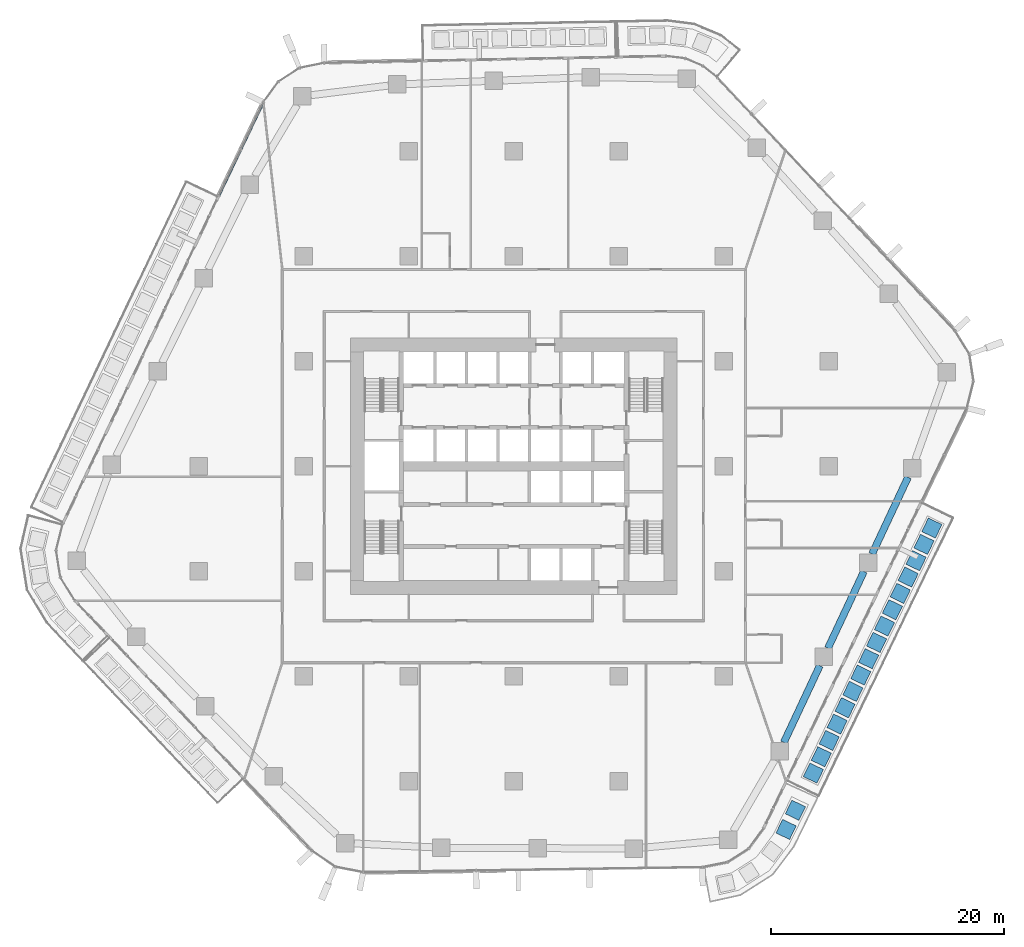
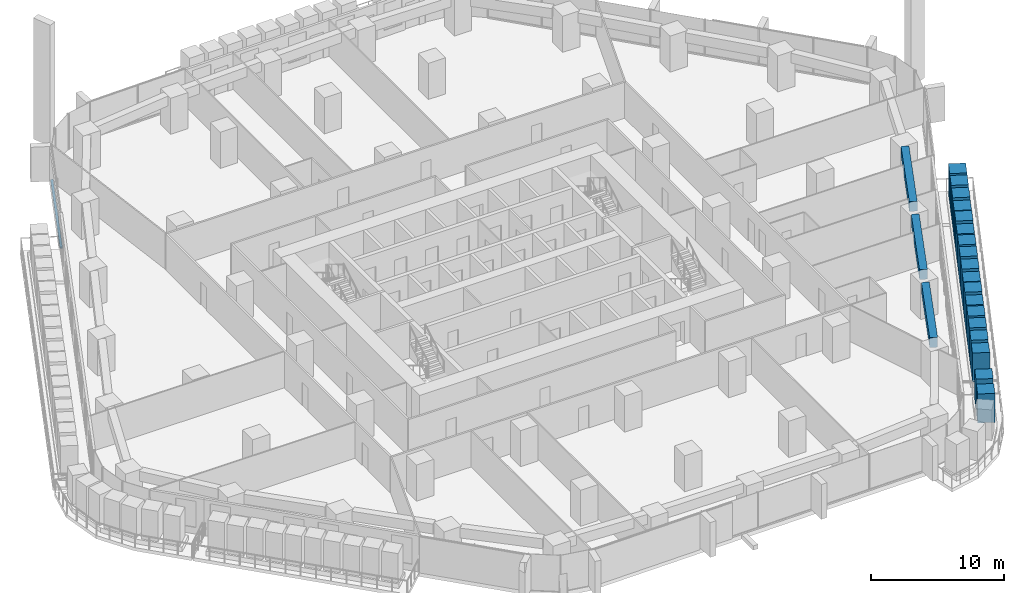
# One storey, part 6 of 24: 19 members, 3 beams, 1 element without a shape of its own.
"""IFC4 building model written with IfcOpenShell, lengths in metres."""

from ifc_helpers import new_model, si_unit, direction, frame, origin, origin_2d, place, context, subcontext, project, spatial, rectangle, extrude, material, layer, layer_set, material_profile, profile_set, type_object, element, aggregate, save


model = new_model("IFC4")

# Units and contexts
model_context = context("Model", 3, precision=1e-05, world=origin(), true_north=direction((0.0, 1.0)))
body_context = subcontext(model_context, "Body", "Model", "MODEL_VIEW")
ifc_project = project(units=[si_unit("LENGTHUNIT", "METRE"), si_unit("AREAUNIT", "SQUARE_METRE"), si_unit("VOLUMEUNIT", "CUBIC_METRE"), si_unit("PLANEANGLEUNIT", "RADIAN"), si_unit("MASSUNIT", "GRAM", prefix="KILO")], contexts=[model_context])

# Site, building, storey
site_placement = place(None, origin())
site = spatial("IfcSite", under=ifc_project, at=site_placement, CompositionType="ELEMENT")
building_placement = place(site_placement, origin())
building = spatial("IfcBuilding", under=site, at=building_placement, Name="Dongbaek Canopy Tower", CompositionType="ELEMENT")
storey_placement = place(building_placement, frame((0.0, 0.0, 44.0)))
storey = spatial("IfcBuildingStorey", under=building, at=storey_placement, Name="L06", CompositionType="ELEMENT", Elevation=44.0)

# Curtain wall, member
ifc_material_1 = material(Name="Aluminium 6063-T6 pale anodised", Category="aluminium")
ifc_layer = layer(ifc_material_1, 0.199951171875)
ifc_layer_set = layer_set([ifc_layer], Name="CW-1 unitised tower curtain wall")
curtain_wall_type = type_object("IfcCurtainWallType", Name="CW-1 unitised tower curtain wall", PredefinedType="NOTDEFINED", material=ifc_layer_set)
curtain_wall_placement = place(storey_placement, origin())
curtain_wall = element("IfcCurtainWall", 1, at=curtain_wall_placement, inside=storey, type_object=curtain_wall_type, Name="CW-1 curtain wall F2.1", PredefinedType="NOTDEFINED")
ifc_material_2 = material(Name="Aluminium 6063-T6 pale anodised", Category="aluminium")
ifc_material_profile_1 = material_profile(ifc_material_2, rectangle(XDim=0.199951171875, YDim=0.1201171875, at=origin_2d()), Name="CW-1 transom 120 x 200")
ifc_profile_set_1 = profile_set([ifc_material_profile_1], Name="Aluminium 6063-T6 pale anodised")
member_type_1 = type_object("IfcMemberType", Name="CW-1 transom 120 x 200", PredefinedType="USERDEFINED", material=ifc_profile_set_1)
member_1_placement = place(storey_placement, frame((-21.47607421875, 31.190673828125, 0.06005859375), z_axis=(-0.429774651528, -0.902936182077, 0.0), x_axis=(0.902936182077, -0.429774651528, 0.0)))
member_1 = element("IfcMember", 2, at=member_1_placement, type_object=member_type_1, Name="CW-1 transom F2.1.1", ObjectType="TRANSOM", PredefinedType="USERDEFINED", context=body_context, shape_type="SweptSolid", body=[
    extrude(rectangle(XDim=0.199951171875, YDim=0.1201171875, at=origin_2d()), origin(), (0.0, 0.0, 1.0), 8.885009765625),
])
aggregate(curtain_wall, [member_1])

# Beams
ifc_material_3 = material(Name="Concrete C80", Category="concrete")
ifc_material_profile_2 = material_profile(ifc_material_3, rectangle(XDim=0.60009765625, YDim=0.89990234375, at=origin_2d()), Name="RC EDGE BEAM 600x900 C80")
ifc_profile_set_2 = profile_set([ifc_material_profile_2], Name="Concrete C80")
beam_type = type_object("IfcBeamType", Name="RC EDGE BEAM 600x900 C80", PredefinedType="BEAM", material=ifc_profile_set_2)
beam_1_placement = place(storey_placement, frame((33.791748046875, -0.955078125, 2.85009765625), z_axis=(-0.424064450026, -0.905632012588, 0.0), x_axis=(0.905632012588, -0.424064450026, 0.0)))
element("IfcBeam", 3, at=beam_1_placement, inside=storey, type_object=beam_type, Name="EDGEBEAM:L06:22", PredefinedType="BEAM", context=body_context, shape_type="SweptSolid", body=[
    extrude(rectangle(XDim=0.60009765625, YDim=0.89990234375, at=origin_2d()), origin(), (0.0, 0.0, 1.0), 7.264404296875),
])
beam_2_placement = place(storey_placement, frame((30.0087890625, -9.033935546875, 2.85009765625), z_axis=(-0.424110161641, -0.905610606604, 0.0), x_axis=(0.905610606604, -0.424110161641, 0.0)))
element("IfcBeam", 4, at=beam_2_placement, inside=storey, type_object=beam_type, Name="EDGEBEAM:L06:23", PredefinedType="BEAM", context=body_context, shape_type="SweptSolid", body=[
    extrude(rectangle(XDim=0.60009765625, YDim=0.89990234375, at=origin_2d()), origin(), (0.0, 0.0, 1.0), 7.265869140625),
])
beam_3_placement = place(storey_placement, frame((26.224609375, -17.114013671875, 2.85009765625), z_axis=(-0.42413422917, -0.905599335052, 0.0), x_axis=(0.905599335052, -0.42413422917, 0.0)))
element("IfcBeam", 5, at=beam_3_placement, inside=storey, type_object=beam_type, Name="EDGEBEAM:L06:24", PredefinedType="BEAM", context=body_context, shape_type="SweptSolid", body=[
    extrude(rectangle(XDim=0.60009765625, YDim=0.89990234375, at=origin_2d()), origin(), (0.0, 0.0, 1.0), 7.264892578125),
])

# Members
ifc_material_4 = material(Name="Concrete C40/50 planter mass with planting", Category="concrete")
ifc_material_profile_3 = material_profile(ifc_material_4, rectangle(XDim=1.300048828125, YDim=1.300048828125, at=origin_2d()), Name="Terrace PLANTER shrub mass 1300 x 1300")
ifc_profile_set_3 = profile_set([ifc_material_profile_3], Name="Concrete C40/50 planter mass with planting")
member_type_2 = type_object("IfcMemberType", Name="Terrace PLANTER shrub mass 1300 x 1300", PredefinedType="USERDEFINED", material=ifc_profile_set_3)
member_2_placement = place(storey_placement, frame((25.679443359375, -26.31982421875, 0.419921875), z_axis=(0.0, 0.0, 1.0), x_axis=(0.900312061201, -0.435244979817, 0.0)))
element("IfcMember", 6, at=member_2_placement, inside=storey, type_object=member_type_2, Name="Planter shrubs L06 4.1", ObjectType="PLANTER", PredefinedType="USERDEFINED", context=body_context, shape_type="SweptSolid", body=[
    extrude(rectangle(XDim=1.300048828125, YDim=1.300048828125, at=origin_2d()), origin(), (0.0, 0.0, 1.0), 2.650146484375),
])
member_3_placement = place(storey_placement, frame((26.3564453125, -24.919189453125, 0.419921875), z_axis=(0.0, 0.0, 1.0), x_axis=(0.900312061201, -0.435244979817, 0.0)))
element("IfcMember", 7, at=member_3_placement, inside=storey, type_object=member_type_2, Name="Planter shrubs L06 4.2", ObjectType="PLANTER", PredefinedType="USERDEFINED", context=body_context, shape_type="SweptSolid", body=[
    extrude(rectangle(XDim=1.300048828125, YDim=1.300048828125, at=origin_2d()), origin(), (0.0, 0.0, 1.0), 2.72998046875),
])
member_4_placement = place(storey_placement, frame((27.033447265625, -23.518798828125, 0.419921875), z_axis=(0.0, 0.0, 1.0), x_axis=(0.900312061201, -0.435244979817, 0.0)))
element("IfcMember", 8, at=member_4_placement, inside=storey, type_object=member_type_2, Name="Planter shrubs L06 4.3", ObjectType="PLANTER", PredefinedType="USERDEFINED", context=body_context, shape_type="SweptSolid", body=[
    extrude(rectangle(XDim=1.300048828125, YDim=1.300048828125, at=origin_2d()), origin(), (0.0, 0.0, 1.0), 2.780029296875),
])
member_5_placement = place(storey_placement, frame((27.710693359375, -22.118408203125, 0.419921875), z_axis=(0.0, 0.0, 1.0), x_axis=(0.900312061201, -0.435244979817, 0.0)))
element("IfcMember", 9, at=member_5_placement, inside=storey, type_object=member_type_2, Name="Planter shrubs L06 4.4", ObjectType="PLANTER", PredefinedType="USERDEFINED", context=body_context, shape_type="SweptSolid", body=[
    extrude(rectangle(XDim=1.300048828125, YDim=1.300048828125, at=origin_2d()), origin(), (0.0, 0.0, 1.0), 2.77001953125),
])
member_6_placement = place(storey_placement, frame((28.3876953125, -20.7177734375, 0.419921875), z_axis=(0.0, 0.0, 1.0), x_axis=(0.900312061201, -0.435244979817, 0.0)))
element("IfcMember", 10, at=member_6_placement, inside=storey, type_object=member_type_2, Name="Planter shrubs L06 4.5", ObjectType="PLANTER", PredefinedType="USERDEFINED", context=body_context, shape_type="SweptSolid", body=[
    extrude(rectangle(XDim=1.300048828125, YDim=1.300048828125, at=origin_2d()), origin(), (0.0, 0.0, 1.0), 2.690185546875),
])
member_7_placement = place(storey_placement, frame((29.064697265625, -19.3173828125, 0.419921875), z_axis=(0.0, 0.0, 1.0), x_axis=(0.900312061201, -0.435244979817, 0.0)))
element("IfcMember", 11, at=member_7_placement, inside=storey, type_object=member_type_2, Name="Planter shrubs L06 4.6", ObjectType="PLANTER", PredefinedType="USERDEFINED", context=body_context, shape_type="SweptSolid", body=[
    extrude(rectangle(XDim=1.300048828125, YDim=1.300048828125, at=origin_2d()), origin(), (0.0, 0.0, 1.0), 2.780029296875),
])
member_8_placement = place(storey_placement, frame((29.74169921875, -17.9169921875, 0.419921875), z_axis=(0.0, 0.0, 1.0), x_axis=(0.900312061201, -0.435244979817, 0.0)))
element("IfcMember", 12, at=member_8_placement, inside=storey, type_object=member_type_2, Name="Planter shrubs L06 4.7", ObjectType="PLANTER", PredefinedType="USERDEFINED", context=body_context, shape_type="SweptSolid", body=[
    extrude(rectangle(XDim=1.300048828125, YDim=1.300048828125, at=origin_2d()), origin(), (0.0, 0.0, 1.0), 2.650146484375),
])
member_9_placement = place(storey_placement, frame((30.418701171875, -16.516357421875, 0.419921875), z_axis=(0.0, 0.0, 1.0), x_axis=(0.900312061201, -0.435244979817, 0.0)))
element("IfcMember", 13, at=member_9_placement, inside=storey, type_object=member_type_2, Name="Planter shrubs L06 4.8", ObjectType="PLANTER", PredefinedType="USERDEFINED", context=body_context, shape_type="SweptSolid", body=[
    extrude(rectangle(XDim=1.300048828125, YDim=1.300048828125, at=origin_2d()), origin(), (0.0, 0.0, 1.0), 2.72998046875),
])
member_10_placement = place(storey_placement, frame((31.095703125, -15.115966796875, 0.419921875), z_axis=(0.0, 0.0, 1.0), x_axis=(0.900312061201, -0.435244979817, 0.0)))
element("IfcMember", 14, at=member_10_placement, inside=storey, type_object=member_type_2, Name="Planter shrubs L06 4.9", ObjectType="PLANTER", PredefinedType="USERDEFINED", context=body_context, shape_type="SweptSolid", body=[
    extrude(rectangle(XDim=1.300048828125, YDim=1.300048828125, at=origin_2d()), origin(), (0.0, 0.0, 1.0), 2.780029296875),
])
member_11_placement = place(storey_placement, frame((31.772705078125, -13.715576171875, 0.419921875), z_axis=(0.0, 0.0, 1.0), x_axis=(0.900312061201, -0.435244979817, 0.0)))
element("IfcMember", 15, at=member_11_placement, inside=storey, type_object=member_type_2, Name="Planter shrubs L06 4.10", ObjectType="PLANTER", PredefinedType="USERDEFINED", context=body_context, shape_type="SweptSolid", body=[
    extrude(rectangle(XDim=1.300048828125, YDim=1.300048828125, at=origin_2d()), origin(), (0.0, 0.0, 1.0), 2.77001953125),
])
member_12_placement = place(storey_placement, frame((32.449951171875, -12.315185546875, 0.419921875), z_axis=(0.0, 0.0, 1.0), x_axis=(0.900312061201, -0.435244979817, 0.0)))
element("IfcMember", 16, at=member_12_placement, inside=storey, type_object=member_type_2, Name="Planter shrubs L06 4.11", ObjectType="PLANTER", PredefinedType="USERDEFINED", context=body_context, shape_type="SweptSolid", body=[
    extrude(rectangle(XDim=1.300048828125, YDim=1.300048828125, at=origin_2d()), origin(), (0.0, 0.0, 1.0), 2.690185546875),
])
member_13_placement = place(storey_placement, frame((33.126953125, -10.91455078125, 0.419921875), z_axis=(0.0, 0.0, 1.0), x_axis=(0.900312061201, -0.435244979817, 0.0)))
element("IfcMember", 17, at=member_13_placement, inside=storey, type_object=member_type_2, Name="Planter shrubs L06 4.12", ObjectType="PLANTER", PredefinedType="USERDEFINED", context=body_context, shape_type="SweptSolid", body=[
    extrude(rectangle(XDim=1.300048828125, YDim=1.300048828125, at=origin_2d()), origin(), (0.0, 0.0, 1.0), 2.780029296875),
])
member_14_placement = place(storey_placement, frame((33.803955078125, -9.51416015625, 0.419921875), z_axis=(0.0, 0.0, 1.0), x_axis=(0.900312061201, -0.435244979817, 0.0)))
element("IfcMember", 18, at=member_14_placement, inside=storey, type_object=member_type_2, Name="Planter shrubs L06 4.13", ObjectType="PLANTER", PredefinedType="USERDEFINED", context=body_context, shape_type="SweptSolid", body=[
    extrude(rectangle(XDim=1.300048828125, YDim=1.300048828125, at=origin_2d()), origin(), (0.0, 0.0, 1.0), 2.650146484375),
])
member_15_placement = place(storey_placement, frame((34.48095703125, -8.11376953125, 0.419921875), z_axis=(0.0, 0.0, 1.0), x_axis=(0.900312061201, -0.435244979817, 0.0)))
element("IfcMember", 19, at=member_15_placement, inside=storey, type_object=member_type_2, Name="Planter shrubs L06 4.14", ObjectType="PLANTER", PredefinedType="USERDEFINED", context=body_context, shape_type="SweptSolid", body=[
    extrude(rectangle(XDim=1.300048828125, YDim=1.300048828125, at=origin_2d()), origin(), (0.0, 0.0, 1.0), 2.72998046875),
])
member_16_placement = place(storey_placement, frame((35.157958984375, -6.713134765625, 0.419921875), z_axis=(0.0, 0.0, 1.0), x_axis=(0.900312061201, -0.435244979817, 0.0)))
element("IfcMember", 20, at=member_16_placement, inside=storey, type_object=member_type_2, Name="Planter shrubs L06 4.15", ObjectType="PLANTER", PredefinedType="USERDEFINED", context=body_context, shape_type="SweptSolid", body=[
    extrude(rectangle(XDim=1.300048828125, YDim=1.300048828125, at=origin_2d()), origin(), (0.0, 0.0, 1.0), 2.780029296875),
])
member_17_placement = place(storey_placement, frame((35.8349609375, -5.312744140625, 0.419921875), z_axis=(0.0, 0.0, 1.0), x_axis=(0.900312061201, -0.435244979817, 0.0)))
element("IfcMember", 21, at=member_17_placement, inside=storey, type_object=member_type_2, Name="Planter shrubs L06 4.16", ObjectType="PLANTER", PredefinedType="USERDEFINED", context=body_context, shape_type="SweptSolid", body=[
    extrude(rectangle(XDim=1.300048828125, YDim=1.300048828125, at=origin_2d()), origin(), (0.0, 0.0, 1.0), 2.77001953125),
])
member_18_placement = place(storey_placement, frame((23.338134765625, -31.150390625, 0.419921875), z_axis=(0.0, 0.0, 1.0), x_axis=(0.899456045748, -0.437011237576, 0.0)))
element("IfcMember", 22, at=member_18_placement, inside=storey, type_object=member_type_2, Name="Planter shrubs L06 7.4", ObjectType="PLANTER", PredefinedType="USERDEFINED", context=body_context, shape_type="SweptSolid", body=[
    extrude(rectangle(XDim=1.300048828125, YDim=1.300048828125, at=origin_2d()), origin(), (0.0, 0.0, 1.0), 2.650146484375),
])
member_19_placement = place(storey_placement, frame((24.136474609375, -29.507080078125, 0.419921875), z_axis=(0.0, 0.0, 1.0), x_axis=(0.899456045748, -0.437011237576, 0.0)))
element("IfcMember", 23, at=member_19_placement, inside=storey, type_object=member_type_2, Name="Planter shrubs L06 7.5", ObjectType="PLANTER", PredefinedType="USERDEFINED", context=body_context, shape_type="SweptSolid", body=[
    extrude(rectangle(XDim=1.300048828125, YDim=1.300048828125, at=origin_2d()), origin(), (0.0, 0.0, 1.0), 2.72998046875),
])

save(model, "model.ifc")
